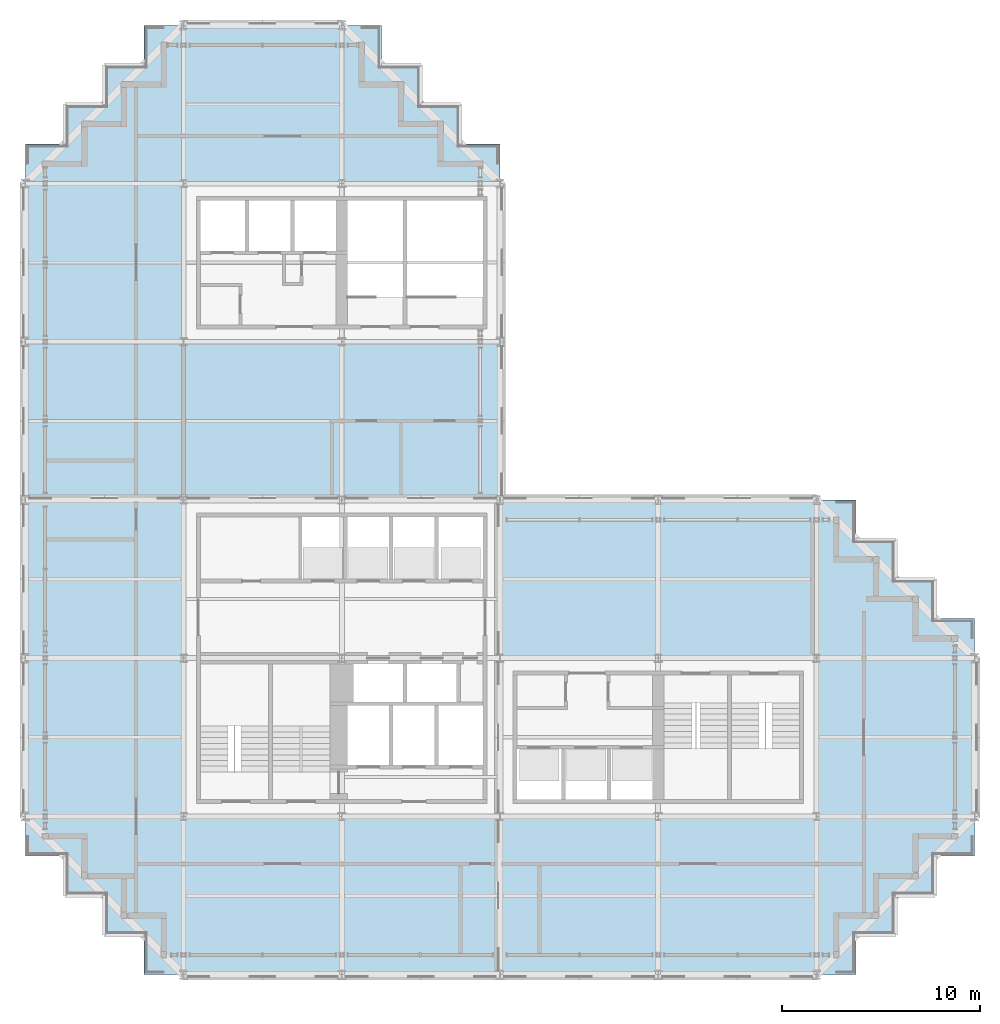
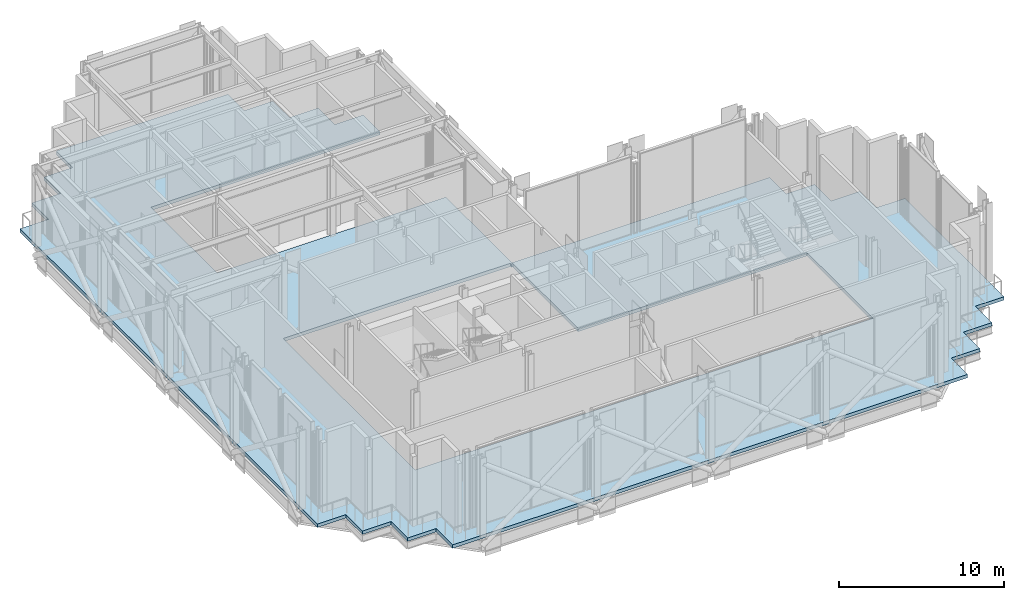
# One storey, part 13 of 23: 1 slab.
"""IFC4 building model written with IfcOpenShell, lengths in metres."""

from ifc_helpers import new_model, si_unit, direction, frame, origin, place, context, subcontext, project, spatial, polyline, outline, extrude, material, layer, layer_set, type_object, element, save


model = new_model("IFC4")

# Units and contexts
model_context = context("Model", 3, precision=1e-05, world=origin(), true_north=direction((0.0, 1.0)))
body_context = subcontext(model_context, "Body", "Model", "MODEL_VIEW")
ifc_project = project(units=[si_unit("LENGTHUNIT", "METRE"), si_unit("AREAUNIT", "SQUARE_METRE"), si_unit("VOLUMEUNIT", "CUBIC_METRE"), si_unit("PLANEANGLEUNIT", "RADIAN"), si_unit("MASSUNIT", "GRAM", prefix="KILO")], contexts=[model_context])

# Site, building, storey
site_placement = place(None, origin())
site = spatial("IfcSite", under=ifc_project, at=site_placement, CompositionType="ELEMENT")
building_placement = place(site_placement, origin())
building = spatial("IfcBuilding", under=site, at=building_placement, Name="Immortelle Media Tower", CompositionType="ELEMENT")
storey_placement = place(building_placement, frame((0.0, 0.0, 183.0)))
storey = spatial("IfcBuildingStorey", under=building, at=storey_placement, Name="L38", CompositionType="ELEMENT", Elevation=183.0)

# Slab
ifc_material = material(Name="Concrete C50/60", Category="concrete")
ifc_layer = layer(ifc_material, 0.25)
ifc_layer_set = layer_set([ifc_layer], Name="Concrete C50/60")
slab_type = type_object("IfcSlabType", Name="Composite floor slab 250", PredefinedType="FLOOR", material=ifc_layer_set)
slab_placement = place(storey_placement, frame((0.0, 0.0, -0.25)))
element("IfcSlab", 1, at=slab_placement, inside=storey, type_object=slab_type, Name="Floor slab L38", PredefinedType="FLOOR", context=body_context, shape_type="SweptSolid", body=[
    extrude(outline(polyline([(42.0, 24.0), (42.0, 22.0), (44.0, 22.0), (44.0, 20.0), (46.0, 20.0), (46.0, 18.0), (48.0, 18.0), (48.0, 6.0), (46.0, 6.0), (46.0, 4.0), (44.0, 4.0), (44.0, 2.0), (42.0, 2.0), (42.0, 0.0), (24.0, 0.0), (6.0, 0.0), (6.0, 2.0), (4.0, 2.0), (4.0, 4.0), (2.0, 4.0), (2.0, 6.0), (0.0, 6.0), (0.0, 24.0), (0.0, 42.0), (2.0, 42.0), (2.0, 44.0), (4.0, 44.0), (4.0, 46.0), (6.0, 46.0), (6.0, 48.0), (18.0, 48.0), (18.0, 46.0), (20.0, 46.0), (20.0, 44.0), (22.0, 44.0), (22.0, 42.0), (24.0, 42.0), (24.0, 40.0), (8.0, 40.0), (8.0, 32.0), (24.0, 32.0), (24.0, 24.0), (42.0, 24.0)]), holes=[polyline([(24.0, 16.0), (40.0, 16.0), (40.0, 8.0), (24.0, 8.0), (8.0, 8.0), (8.0, 24.0), (23.89990234375, 24.0), (23.89990234375, 23.89990234375), (24.0, 23.89990234375), (24.0, 16.0)])]), origin(), (0.0, 0.0, 1.0), 0.25),
])

save(model, "model.ifc")
